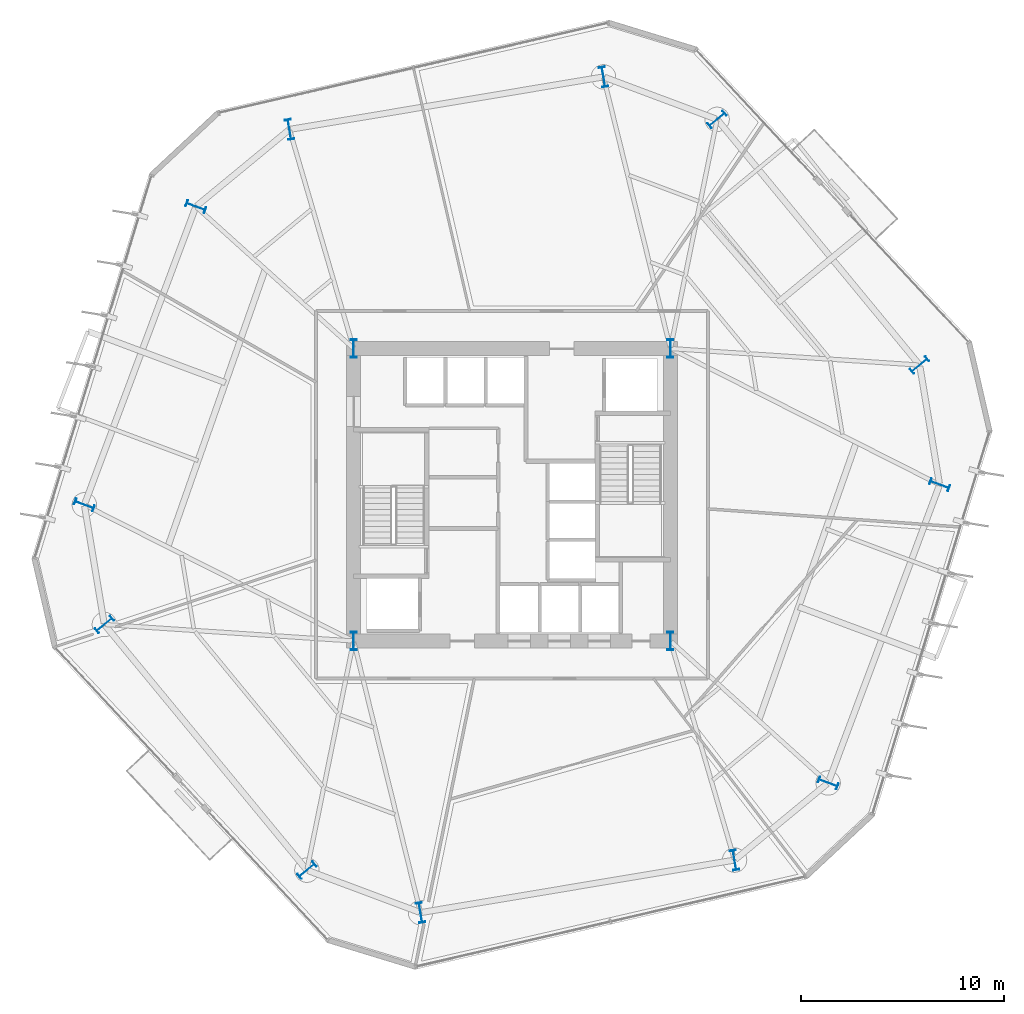
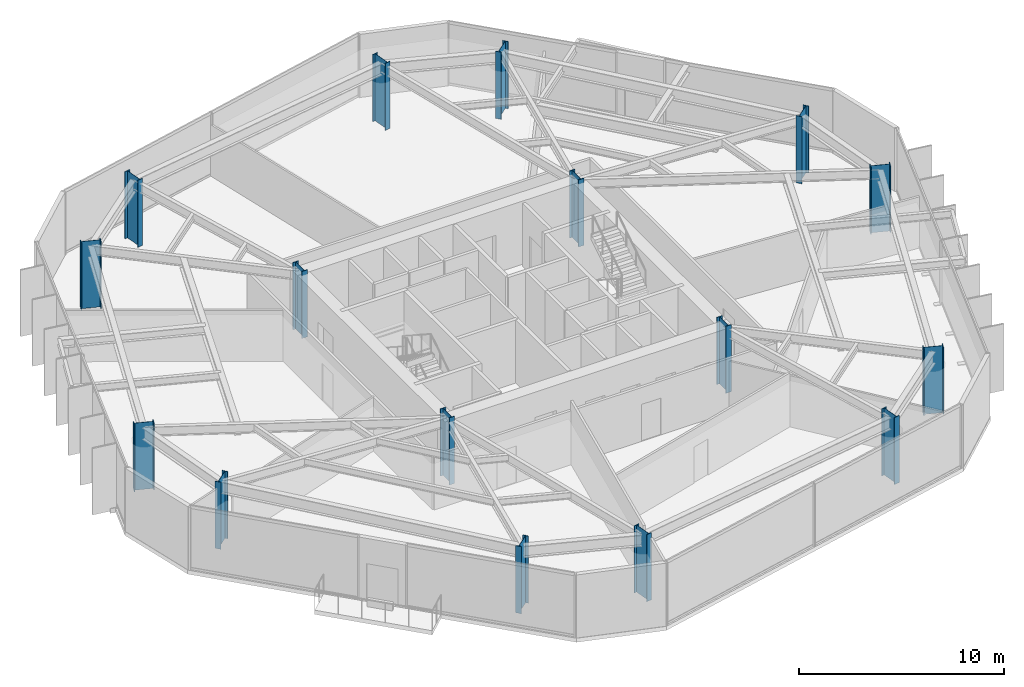
# One storey, part 1 of 10: 16 columns.
"""IFC4 building model written with IfcOpenShell, lengths in metres."""

from ifc_helpers import new_model, si_unit, direction, frame, origin, origin_2d, place, context, subcontext, project, spatial, i_section, extrude, material, material_profile, profile_set, type_object, element, save


model = new_model("IFC4")

# Units and contexts
model_context = context("Model", 3, precision=1e-05, world=origin(), true_north=direction((0.0, 1.0)))
body_context = subcontext(model_context, "Body", "Model", "MODEL_VIEW")
ifc_project = project(units=[si_unit("LENGTHUNIT", "METRE"), si_unit("AREAUNIT", "SQUARE_METRE"), si_unit("VOLUMEUNIT", "CUBIC_METRE"), si_unit("PLANEANGLEUNIT", "RADIAN"), si_unit("MASSUNIT", "GRAM", prefix="KILO")], contexts=[model_context])

# Site, building, storey
site_placement = place(None, origin())
site = spatial("IfcSite", under=ifc_project, at=site_placement, CompositionType="ELEMENT")
building_placement = place(site_placement, origin())
building = spatial("IfcBuilding", under=site, at=building_placement, Name="Kranzbogen Civic Tower", CompositionType="ELEMENT")
storey_placement = place(building_placement, frame((0.0, 0.0, 72.0)))
storey = spatial("IfcBuildingStorey", under=building, at=storey_placement, Name="L17", CompositionType="ELEMENT", Elevation=72.0)

# Columns
ifc_material_1 = material(Name="Steel S355", Category="steel")
ifc_material_profile_1 = material_profile(ifc_material_1, i_section(OverallWidth=0.300048828125, OverallDepth=1.0, WebThickness=0.01904296875, FlangeThickness=0.035888671875, at=origin_2d()), Name="HEB 1000")
ifc_profile_set_1 = profile_set([ifc_material_profile_1], Name="Steel S355")
column_type_1 = type_object("IfcColumnType", Name="Structural Column HEB 1000", PredefinedType="COLUMN", material=ifc_profile_set_1)
for number, where, z_axis, x_axis, name in (
    (1, (45.072021484375, 31.385986328125, 0.0), (0.0, 0.0, 1.0), (-0.636078220278, 0.771624583388, 0.0), "L17 tower perimeter tube column 01"),
    (2, (35.09912109375, 43.48388671875, 0.0), (0.0, 0.0, 1.0), (-0.636078220278, 0.771624583388, 0.0), "L17 tower perimeter tube column 02"),
    (3, (29.5048828125, 45.575927734375, 0.0), (0.0, 0.0, 1.0), (0.986285601537, 0.165047605861, 0.0), "L17 tower perimeter tube column 03"),
    (4, (14.0419921875, 42.988037109375, 0.0), (0.0, 0.0, 1.0), (0.986285601537, 0.165047605861, 0.0), "L17 tower perimeter tube column 04"),
    (5, (9.43310546875, 39.18896484375, 0.0), (0.0, 0.0, 1.0), (0.350207381259, 0.936672189248, 0.0), "L17 tower perimeter tube column 05"),
    (6, (3.943115234375, 24.50390625, 0.0), (0.0, 0.0, 1.0), (0.350207381259, 0.936672189248, 0.0), "L17 tower perimeter tube column 06"),
    (7, (4.927978515625, 18.614013671875, 0.0), (0.0, 0.0, 1.0), (-0.636078220278, 0.771624583388, 0.0), "L17 tower perimeter tube column 07"),
    (8, (14.90087890625, 6.51611328125, 0.0), (0.0, 0.0, 1.0), (-0.636078220278, 0.771624583388, 0.0), "L17 tower perimeter tube column 08"),
    (9, (20.4951171875, 4.424072265625, 0.0), (0.0, 0.0, 1.0), (0.986285601537, 0.165047605861, 0.0), "L17 tower perimeter tube column 09"),
    (10, (35.9580078125, 7.011962890625, 0.0), (0.0, 0.0, 1.0), (0.986285601537, 0.165047605861, 0.0), "L17 tower perimeter tube column 10"),
    (11, (40.56689453125, 10.81103515625, 0.0), (0.0, 0.0, 1.0), (0.350207381259, 0.936672189248, 0.0), "L17 tower perimeter tube column 11"),
    (12, (46.056884765625, 25.49609375, 0.0), (0.0, 0.0, 1.0), (0.350207381259, 0.936672189248, 0.0), "L17 tower perimeter tube column 12"),
):
    element("IfcColumn", number, at=place(storey_placement, frame(where, z_axis=z_axis, x_axis=x_axis)), inside=storey, type_object=column_type_1, Name=name, PredefinedType="COLUMN", context=body_context, shape_type="SweptSolid", body=[
        extrude(i_section(OverallWidth=0.300048828125, OverallDepth=1.0, WebThickness=0.01904296875, FlangeThickness=0.035888671875, at=origin_2d()), origin(), (0.0, 0.0, 1.0), 4.0),
    ])
ifc_material_2 = material(Name="Steel S460", Category="steel")
ifc_material_profile_2 = material_profile(ifc_material_2, i_section(OverallWidth=0.302001953125, OverallDepth=0.909912109375, WebThickness=0.02099609375, FlangeThickness=0.0400390625, at=origin_2d()), Name="HEM 900")
ifc_profile_set_2 = profile_set([ifc_material_profile_2], Name="Steel S460")
column_type_2 = type_object("IfcColumnType", Name="Structural Column HEM 900", PredefinedType="COLUMN", material=ifc_profile_set_2)
for number, where, z_axis, x_axis, name in (
    (13, (17.199951171875, 17.800048828125, 0.0), (0.0, 0.0, 1.0), (1.0, 0.0, 0.0), "L17 composite core corner column 1"),
    (14, (32.800048828125, 17.800048828125, 0.0), (0.0, 0.0, 1.0), (1.0, 0.0, 0.0), "L17 composite core corner column 2"),
    (15, (32.800048828125, 32.199951171875, 0.0), (0.0, 0.0, 1.0), (1.0, 0.0, 0.0), "L17 composite core corner column 3"),
    (16, (17.199951171875, 32.199951171875, 0.0), (0.0, 0.0, 1.0), (1.0, 0.0, 0.0), "L17 composite core corner column 4"),
):
    element("IfcColumn", number, at=place(storey_placement, frame(where, z_axis=z_axis, x_axis=x_axis)), inside=storey, type_object=column_type_2, Name=name, PredefinedType="COLUMN", context=body_context, shape_type="SweptSolid", body=[
        extrude(i_section(OverallWidth=0.302001953125, OverallDepth=0.909912109375, WebThickness=0.02099609375, FlangeThickness=0.0400390625, at=origin_2d()), origin(), (0.0, 0.0, 1.0), 4.0),
    ])

save(model, "model.ifc")
